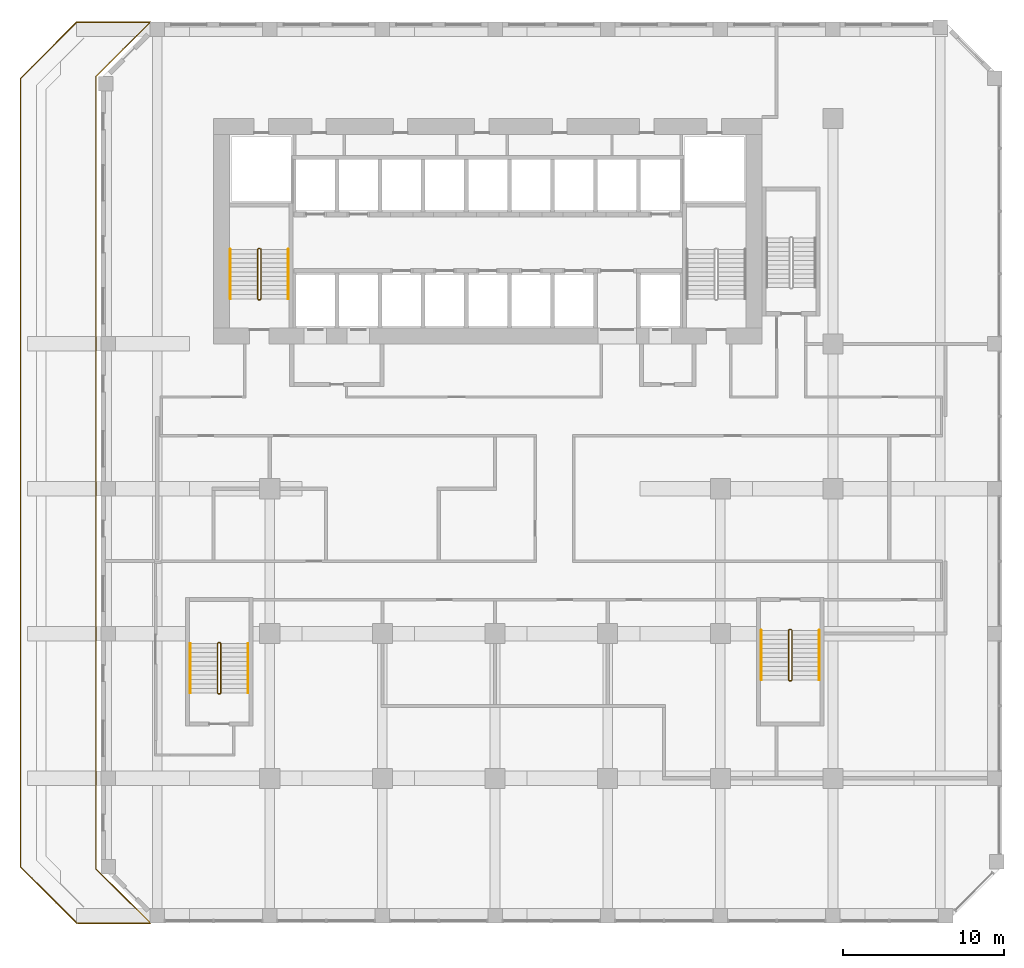
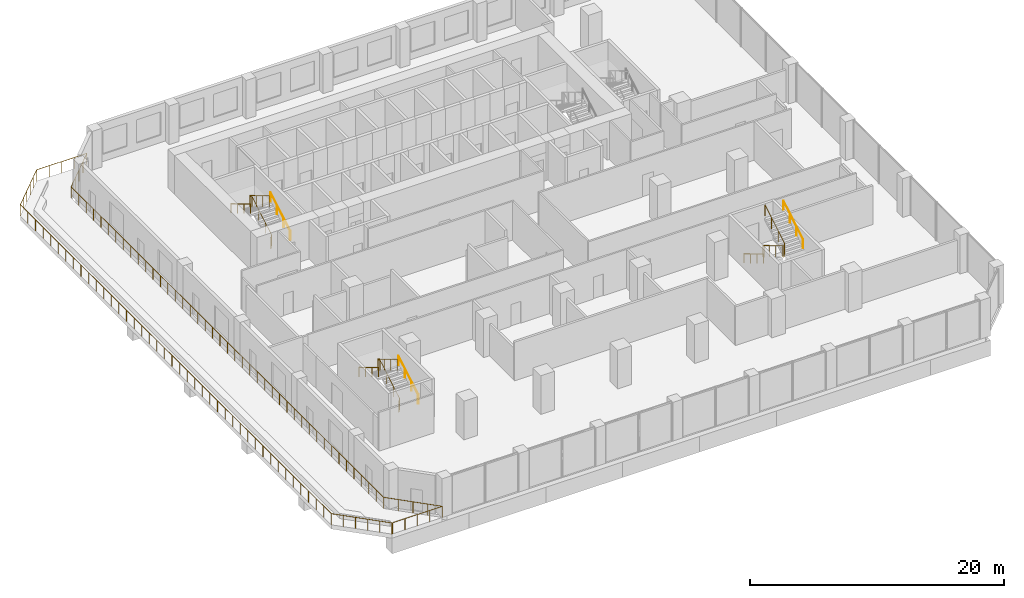
# One storey, part 19 of 20: 10 railings.
"""IFC4 building model written with IfcOpenShell, lengths in metres."""

from ifc_helpers import new_model, si_unit, direction, frame, origin, origin_2d, place, context, subcontext, project, spatial, circle, extrude, material, type_object, element, save


model = new_model("IFC4")

# Units and contexts
model_context = context("Model", 3, precision=1e-05, world=origin(), true_north=direction((0.0, 1.0)))
body_context = subcontext(model_context, "Body", "Model", "MODEL_VIEW")
ifc_project = project(units=[si_unit("LENGTHUNIT", "METRE"), si_unit("AREAUNIT", "SQUARE_METRE"), si_unit("VOLUMEUNIT", "CUBIC_METRE"), si_unit("PLANEANGLEUNIT", "RADIAN"), si_unit("MASSUNIT", "GRAM", prefix="KILO")], contexts=[model_context])

# Site, building, storey
site_placement = place(None, origin())
site = spatial("IfcSite", under=ifc_project, at=site_placement, CompositionType="ELEMENT")
building_placement = place(site_placement, origin())
building = spatial("IfcBuilding", under=site, at=building_placement, Name="Kilnfold Tower and Market Hall", CompositionType="ELEMENT")
storey_placement = place(building_placement, frame((0.0, 0.0, 63.199951171875)))
storey = spatial("IfcBuildingStorey", under=building, at=storey_placement, Name="L14", CompositionType="ELEMENT", Elevation=63.199951171875)

# Railings
ifc_material_1 = material(Name="Stainless steel 316", Category="steel")
railing_type_1 = type_object("IfcRailingType", Name="CORE STAIR GUARD 1100", PredefinedType="GUARDRAIL", material=ifc_material_1)
railing_1_placement = place(storey_placement, frame((-13.199951171875, 10.75, 0.0)))
element("IfcRailing", 1, at=railing_1_placement, inside=storey, type_object=railing_type_1, Name="L14 ST1 stair guard 1", PredefinedType="GUARDRAIL", context=body_context, shape_type="SweptSolid", body=[
    extrude(circle(Radius=0.02392578125, at=origin_2d()), frame((0.0, 0.0, 1.076171875), z_axis=(1.0, 0.0, 0.0), x_axis=(0.0, 1.0, 0.0)), (0.0, 0.0, 1.0), 0.099853515625),
    extrude(circle(Radius=0.02392578125, at=origin_2d()), frame((0.099853515625, 0.0, 1.076171875), z_axis=(0.27628659633, 0.27628659633, 0.920506074601), x_axis=(-0.707106781187, 0.707106781187, 0.0)), (0.0, 0.0, 1.0), 0.18115234375),
    extrude(circle(Radius=0.02392578125, at=origin_2d()), frame((0.14990234375, 0.050048828125, 1.24267578125), z_axis=(0.0, 0.859290745958, 0.51148745235), x_axis=(-1.0, 0.0, 0.0)), (0.0, 0.0, 1.0), 3.584228515625),
    extrude(circle(Radius=0.02392578125, at=origin_2d()), frame((0.14990234375, 3.1298828125, 3.076171875), z_axis=(-0.707106781187, 0.707106781187, 0.0), x_axis=(-0.707106781187, -0.707106781187, 0.0)), (0.0, 0.0, 1.0), 0.07080078125),
    extrude(circle(Radius=0.02392578125, at=origin_2d()), frame((0.099853515625, 3.179931640625, 3.076171875), z_axis=(-1.0, 0.0, 0.0), x_axis=(0.0, -1.0, 0.0)), (0.0, 0.0, 1.0), 0.099853515625),
    extrude(circle(Radius=0.02392578125, at=origin_2d()), frame((0.0, 3.179931640625, 3.076171875), z_axis=(-0.27628659633, -0.27628659633, 0.920506074601), x_axis=(0.707106781187, -0.707106781187, 0.0)), (0.0, 0.0, 1.0), 0.18115234375),
    extrude(circle(Radius=0.02392578125, at=origin_2d()), frame((-0.050048828125, 3.1298828125, 3.24267578125), z_axis=(0.0, -0.859290745958, 0.51148745235), x_axis=(1.0, 0.0, 0.0)), (0.0, 0.0, 1.0), 3.584228515625),
    extrude(circle(Radius=0.02099609375, at=origin_2d()), origin(), (0.0, 0.0, 1.0), 1.052001953125),
    extrude(circle(Radius=0.02099609375, at=origin_2d()), frame((0.099853515625, 0.0, 0.0)), (0.0, 0.0, 1.0), 1.052001953125),
    extrude(circle(Radius=0.02099609375, at=origin_2d()), frame((0.14990234375, 0.050048828125, 0.166748046875)), (0.0, 0.0, 1.0), 1.052001953125),
    extrude(circle(Radius=0.02099609375, at=origin_2d()), frame((0.14990234375, 1.07666015625, 0.77783203125)), (0.0, 0.0, 1.0), 1.052001953125),
    extrude(circle(Radius=0.02099609375, at=origin_2d()), frame((0.14990234375, 2.103271484375, 1.388916015625)), (0.0, 0.0, 1.0), 1.052001953125),
    extrude(circle(Radius=0.02099609375, at=origin_2d()), frame((0.14990234375, 3.1298828125, 2.0)), (0.0, 0.0, 1.0), 1.052001953125),
    extrude(circle(Radius=0.02099609375, at=origin_2d()), frame((0.099853515625, 3.179931640625, 2.0)), (0.0, 0.0, 1.0), 1.052001953125),
    extrude(circle(Radius=0.02099609375, at=origin_2d()), frame((0.0, 3.179931640625, 2.0)), (0.0, 0.0, 1.0), 1.052001953125),
    extrude(circle(Radius=0.02099609375, at=origin_2d()), frame((-0.050048828125, 3.1298828125, 2.166748046875)), (0.0, 0.0, 1.0), 1.052001953125),
    extrude(circle(Radius=0.02099609375, at=origin_2d()), frame((-0.050048828125, 2.103271484375, 2.77783203125)), (0.0, 0.0, 1.0), 1.052001953125),
    extrude(circle(Radius=0.02099609375, at=origin_2d()), frame((-0.050048828125, 1.07666015625, 3.388916015625)), (0.0, 0.0, 1.0), 1.052001953125),
    extrude(circle(Radius=0.02099609375, at=origin_2d()), frame((-0.050048828125, 0.050048828125, 4.0)), (0.0, 0.0, 1.0), 1.052001953125),
])
railing_2_placement = place(storey_placement, frame((-15.699951171875, -13.75, 0.0)))
element("IfcRailing", 2, at=railing_2_placement, inside=storey, type_object=railing_type_1, Name="L14 ST3 stair guard 1", PredefinedType="GUARDRAIL", context=body_context, shape_type="SweptSolid", body=[
    extrude(circle(Radius=0.02392578125, at=origin_2d()), frame((0.0, 0.0, 1.076171875), z_axis=(1.0, 0.0, 0.0), x_axis=(0.0, 1.0, 0.0)), (0.0, 0.0, 1.0), 0.099853515625),
    extrude(circle(Radius=0.02392578125, at=origin_2d()), frame((0.099853515625, 0.0, 1.076171875), z_axis=(0.27628659633, 0.27628659633, 0.920506074601), x_axis=(-0.707106781187, 0.707106781187, 0.0)), (0.0, 0.0, 1.0), 0.18115234375),
    extrude(circle(Radius=0.02392578125, at=origin_2d()), frame((0.14990234375, 0.050048828125, 1.24267578125), z_axis=(0.0, 0.859290745958, 0.51148745235), x_axis=(-1.0, 0.0, 0.0)), (0.0, 0.0, 1.0), 3.584228515625),
    extrude(circle(Radius=0.02392578125, at=origin_2d()), frame((0.14990234375, 3.1298828125, 3.076171875), z_axis=(-0.707106781187, 0.707106781187, 0.0), x_axis=(-0.707106781187, -0.707106781187, 0.0)), (0.0, 0.0, 1.0), 0.07080078125),
    extrude(circle(Radius=0.02392578125, at=origin_2d()), frame((0.099853515625, 3.179931640625, 3.076171875), z_axis=(-1.0, 0.0, 0.0), x_axis=(0.0, -1.0, 0.0)), (0.0, 0.0, 1.0), 0.099853515625),
    extrude(circle(Radius=0.02392578125, at=origin_2d()), frame((0.0, 3.179931640625, 3.076171875), z_axis=(-0.27628659633, -0.27628659633, 0.920506074601), x_axis=(0.707106781187, -0.707106781187, 0.0)), (0.0, 0.0, 1.0), 0.18115234375),
    extrude(circle(Radius=0.02392578125, at=origin_2d()), frame((-0.050048828125, 3.1298828125, 3.24267578125), z_axis=(0.0, -0.859290745958, 0.51148745235), x_axis=(1.0, 0.0, 0.0)), (0.0, 0.0, 1.0), 3.584228515625),
    extrude(circle(Radius=0.02099609375, at=origin_2d()), origin(), (0.0, 0.0, 1.0), 1.052001953125),
    extrude(circle(Radius=0.02099609375, at=origin_2d()), frame((0.099853515625, 0.0, 0.0)), (0.0, 0.0, 1.0), 1.052001953125),
    extrude(circle(Radius=0.02099609375, at=origin_2d()), frame((0.14990234375, 0.050048828125, 0.166748046875)), (0.0, 0.0, 1.0), 1.052001953125),
    extrude(circle(Radius=0.02099609375, at=origin_2d()), frame((0.14990234375, 1.07666015625, 0.77783203125)), (0.0, 0.0, 1.0), 1.052001953125),
    extrude(circle(Radius=0.02099609375, at=origin_2d()), frame((0.14990234375, 2.103271484375, 1.388916015625)), (0.0, 0.0, 1.0), 1.052001953125),
    extrude(circle(Radius=0.02099609375, at=origin_2d()), frame((0.14990234375, 3.1298828125, 2.0)), (0.0, 0.0, 1.0), 1.052001953125),
    extrude(circle(Radius=0.02099609375, at=origin_2d()), frame((0.099853515625, 3.179931640625, 2.0)), (0.0, 0.0, 1.0), 1.052001953125),
    extrude(circle(Radius=0.02099609375, at=origin_2d()), frame((0.0, 3.179931640625, 2.0)), (0.0, 0.0, 1.0), 1.052001953125),
    extrude(circle(Radius=0.02099609375, at=origin_2d()), frame((-0.050048828125, 3.1298828125, 2.166748046875)), (0.0, 0.0, 1.0), 1.052001953125),
    extrude(circle(Radius=0.02099609375, at=origin_2d()), frame((-0.050048828125, 2.103271484375, 2.77783203125)), (0.0, 0.0, 1.0), 1.052001953125),
    extrude(circle(Radius=0.02099609375, at=origin_2d()), frame((-0.050048828125, 1.07666015625, 3.388916015625)), (0.0, 0.0, 1.0), 1.052001953125),
    extrude(circle(Radius=0.02099609375, at=origin_2d()), frame((-0.050048828125, 0.050048828125, 4.0)), (0.0, 0.0, 1.0), 1.052001953125),
])
railing_3_placement = place(storey_placement, frame((19.89990234375, -9.75, 0.0)))
element("IfcRailing", 3, at=railing_3_placement, inside=storey, type_object=railing_type_1, Name="L14 ST4 stair guard 1", PredefinedType="GUARDRAIL", context=body_context, shape_type="SweptSolid", body=[
    extrude(circle(Radius=0.02392578125, at=origin_2d()), frame((0.0, 0.0, 1.076171875), z_axis=(-1.0, 0.0, 0.0), x_axis=(0.0, -1.0, 0.0)), (0.0, 0.0, 1.0), 0.099853515625),
    extrude(circle(Radius=0.02392578125, at=origin_2d()), frame((-0.099853515625, 0.0, 1.076171875), z_axis=(-0.27628659633, -0.27628659633, 0.920506074601), x_axis=(0.707106781187, -0.707106781187, 0.0)), (0.0, 0.0, 1.0), 0.18115234375),
    extrude(circle(Radius=0.02392578125, at=origin_2d()), frame((-0.14990234375, -0.050048828125, 1.24267578125), z_axis=(0.0, -0.859290745958, 0.51148745235), x_axis=(1.0, 0.0, 0.0)), (0.0, 0.0, 1.0), 3.584228515625),
    extrude(circle(Radius=0.02392578125, at=origin_2d()), frame((-0.14990234375, -3.1298828125, 3.076171875), z_axis=(0.707106781187, -0.707106781187, 0.0), x_axis=(0.707106781187, 0.707106781187, 0.0)), (0.0, 0.0, 1.0), 0.07080078125),
    extrude(circle(Radius=0.02392578125, at=origin_2d()), frame((-0.099853515625, -3.179931640625, 3.076171875), z_axis=(1.0, 0.0, 0.0), x_axis=(0.0, 1.0, 0.0)), (0.0, 0.0, 1.0), 0.099853515625),
    extrude(circle(Radius=0.02392578125, at=origin_2d()), frame((0.0, -3.179931640625, 3.076171875), z_axis=(0.27628659633, 0.27628659633, 0.920506074601), x_axis=(-0.707106781187, 0.707106781187, 0.0)), (0.0, 0.0, 1.0), 0.18115234375),
    extrude(circle(Radius=0.02392578125, at=origin_2d()), frame((0.050048828125, -3.1298828125, 3.24267578125), z_axis=(0.0, 0.859290745958, 0.51148745235), x_axis=(-1.0, 0.0, 0.0)), (0.0, 0.0, 1.0), 3.584228515625),
    extrude(circle(Radius=0.02099609375, at=origin_2d()), origin(), (0.0, 0.0, 1.0), 1.052001953125),
    extrude(circle(Radius=0.02099609375, at=origin_2d()), frame((-0.099853515625, 0.0, 0.0)), (0.0, 0.0, 1.0), 1.052001953125),
    extrude(circle(Radius=0.02099609375, at=origin_2d()), frame((-0.14990234375, -0.050048828125, 0.166748046875)), (0.0, 0.0, 1.0), 1.052001953125),
    extrude(circle(Radius=0.02099609375, at=origin_2d()), frame((-0.14990234375, -1.07666015625, 0.77783203125)), (0.0, 0.0, 1.0), 1.052001953125),
    extrude(circle(Radius=0.02099609375, at=origin_2d()), frame((-0.14990234375, -2.103271484375, 1.388916015625)), (0.0, 0.0, 1.0), 1.052001953125),
    extrude(circle(Radius=0.02099609375, at=origin_2d()), frame((-0.14990234375, -3.1298828125, 2.0)), (0.0, 0.0, 1.0), 1.052001953125),
    extrude(circle(Radius=0.02099609375, at=origin_2d()), frame((-0.099853515625, -3.179931640625, 2.0)), (0.0, 0.0, 1.0), 1.052001953125),
    extrude(circle(Radius=0.02099609375, at=origin_2d()), frame((0.0, -3.179931640625, 2.0)), (0.0, 0.0, 1.0), 1.052001953125),
    extrude(circle(Radius=0.02099609375, at=origin_2d()), frame((0.050048828125, -3.1298828125, 2.166748046875)), (0.0, 0.0, 1.0), 1.052001953125),
    extrude(circle(Radius=0.02099609375, at=origin_2d()), frame((0.050048828125, -2.103271484375, 2.77783203125)), (0.0, 0.0, 1.0), 1.052001953125),
    extrude(circle(Radius=0.02099609375, at=origin_2d()), frame((0.050048828125, -1.07666015625, 3.388916015625)), (0.0, 0.0, 1.0), 1.052001953125),
    extrude(circle(Radius=0.02099609375, at=origin_2d()), frame((0.050048828125, -0.050048828125, 4.0)), (0.0, 0.0, 1.0), 1.052001953125),
])
ifc_material_2 = material(Name="Stainless steel 316", Category="steel")
railing_type_2 = type_object("IfcRailingType", Name="CORE STAIR HANDRAIL 900", PredefinedType="HANDRAIL", material=ifc_material_2)
railing_4_placement = place(storey_placement, frame((-11.35009765625, 10.800048828125, 0.166748046875)))
element("IfcRailing", 4, at=railing_4_placement, inside=storey, type_object=railing_type_2, Name="L14 ST1 stair handrail 1", PredefinedType="HANDRAIL", context=body_context, shape_type="SweptSolid", body=[
    extrude(circle(Radius=0.02392578125, at=origin_2d()), frame((0.0, 0.0, 0.8759765625), z_axis=(0.0, 0.859290745958, 0.51148745235), x_axis=(-1.0, 0.0, 0.0)), (0.0, 0.0, 1.0), 3.584228515625),
    extrude(circle(Radius=0.02099609375, at=origin_2d()), origin(), (0.0, 0.0, 1.0), 0.851806640625),
    extrude(circle(Radius=0.02099609375, at=origin_2d()), frame((0.0, 1.026611328125, 0.611083984375)), (0.0, 0.0, 1.0), 0.851806640625),
    extrude(circle(Radius=0.02099609375, at=origin_2d()), frame((0.0, 2.05322265625, 1.22216796875)), (0.0, 0.0, 1.0), 0.851806640625),
    extrude(circle(Radius=0.02099609375, at=origin_2d()), frame((0.0, 3.079833984375, 1.833251953125)), (0.0, 0.0, 1.0), 0.851806640625),
])
railing_5_placement = place(storey_placement, frame((-14.949951171875, 13.8798828125, 2.166748046875)))
element("IfcRailing", 5, at=railing_5_placement, inside=storey, type_object=railing_type_2, Name="L14 ST1 stair handrail 2", PredefinedType="HANDRAIL", context=body_context, shape_type="SweptSolid", body=[
    extrude(circle(Radius=0.02392578125, at=origin_2d()), frame((0.0, 0.0, 0.8759765625), z_axis=(0.0, -0.859290745958, 0.51148745235), x_axis=(1.0, 0.0, 0.0)), (0.0, 0.0, 1.0), 3.584228515625),
    extrude(circle(Radius=0.02099609375, at=origin_2d()), origin(), (0.0, 0.0, 1.0), 0.851806640625),
    extrude(circle(Radius=0.02099609375, at=origin_2d()), frame((0.0, -1.026611328125, 0.611083984375)), (0.0, 0.0, 1.0), 0.851806640625),
    extrude(circle(Radius=0.02099609375, at=origin_2d()), frame((0.0, -2.05322265625, 1.22216796875)), (0.0, 0.0, 1.0), 0.851806640625),
    extrude(circle(Radius=0.02099609375, at=origin_2d()), frame((0.0, -3.079833984375, 1.833251953125)), (0.0, 0.0, 1.0), 0.851806640625),
])
railing_6_placement = place(storey_placement, frame((-13.85009765625, -13.699951171875, 0.166748046875)))
element("IfcRailing", 6, at=railing_6_placement, inside=storey, type_object=railing_type_2, Name="L14 ST3 stair handrail 1", PredefinedType="HANDRAIL", context=body_context, shape_type="SweptSolid", body=[
    extrude(circle(Radius=0.02392578125, at=origin_2d()), frame((0.0, 0.0, 0.8759765625), z_axis=(0.0, 0.859290745958, 0.51148745235), x_axis=(-1.0, 0.0, 0.0)), (0.0, 0.0, 1.0), 3.584228515625),
    extrude(circle(Radius=0.02099609375, at=origin_2d()), origin(), (0.0, 0.0, 1.0), 0.851806640625),
    extrude(circle(Radius=0.02099609375, at=origin_2d()), frame((0.0, 1.026611328125, 0.611083984375)), (0.0, 0.0, 1.0), 0.851806640625),
    extrude(circle(Radius=0.02099609375, at=origin_2d()), frame((0.0, 2.05322265625, 1.22216796875)), (0.0, 0.0, 1.0), 0.851806640625),
    extrude(circle(Radius=0.02099609375, at=origin_2d()), frame((0.0, 3.079833984375, 1.833251953125)), (0.0, 0.0, 1.0), 0.851806640625),
])
for number, where, name in (
    (7, (-17.449951171875, -10.6201171875, 2.166748046875), "L14 ST3 stair handrail 2"),
    (8, (18.050048828125, -9.800048828125, 0.166748046875), "L14 ST4 stair handrail 1"),
):
    element("IfcRailing", number, at=place(storey_placement, frame(where)), inside=storey, type_object=railing_type_2, Name=name, PredefinedType="HANDRAIL", context=body_context, shape_type="SweptSolid", body=[
        extrude(circle(Radius=0.02392578125, at=origin_2d()), frame((0.0, 0.0, 0.8759765625), z_axis=(0.0, -0.859290745958, 0.51148745235), x_axis=(1.0, 0.0, 0.0)), (0.0, 0.0, 1.0), 3.584228515625),
        extrude(circle(Radius=0.02099609375, at=origin_2d()), origin(), (0.0, 0.0, 1.0), 0.851806640625),
        extrude(circle(Radius=0.02099609375, at=origin_2d()), frame((0.0, -1.026611328125, 0.611083984375)), (0.0, 0.0, 1.0), 0.851806640625),
        extrude(circle(Radius=0.02099609375, at=origin_2d()), frame((0.0, -2.05322265625, 1.22216796875)), (0.0, 0.0, 1.0), 0.851806640625),
        extrude(circle(Radius=0.02099609375, at=origin_2d()), frame((0.0, -3.079833984375, 1.833251953125)), (0.0, 0.0, 1.0), 0.851806640625),
    ])
railing_7_placement = place(storey_placement, frame((21.64990234375, -12.8798828125, 2.166748046875)))
element("IfcRailing", 9, at=railing_7_placement, inside=storey, type_object=railing_type_2, Name="L14 ST4 stair handrail 2", PredefinedType="HANDRAIL", context=body_context, shape_type="SweptSolid", body=[
    extrude(circle(Radius=0.02392578125, at=origin_2d()), frame((0.0, 0.0, 0.8759765625), z_axis=(0.0, 0.859290745958, 0.51148745235), x_axis=(-1.0, 0.0, 0.0)), (0.0, 0.0, 1.0), 3.584228515625),
    extrude(circle(Radius=0.02099609375, at=origin_2d()), origin(), (0.0, 0.0, 1.0), 0.851806640625),
    extrude(circle(Radius=0.02099609375, at=origin_2d()), frame((0.0, 1.026611328125, 0.611083984375)), (0.0, 0.0, 1.0), 0.851806640625),
    extrude(circle(Radius=0.02099609375, at=origin_2d()), frame((0.0, 2.05322265625, 1.22216796875)), (0.0, 0.0, 1.0), 0.851806640625),
    extrude(circle(Radius=0.02099609375, at=origin_2d()), frame((0.0, 3.079833984375, 1.833251953125)), (0.0, 0.0, 1.0), 0.851806640625),
])
ifc_material_3 = material(Name="Stainless steel and laminated glass", Category="steel")
railing_type_3 = type_object("IfcRailingType", Name="GUARD 1100", PredefinedType="GUARDRAIL", material=ifc_material_3)
railing_8_placement = place(storey_placement, frame((-24.5, -28.0, 0.0)))
element("IfcRailing", 10, at=railing_8_placement, inside=storey, type_object=railing_type_3, Name="Guard terrace L14", PredefinedType="GUARDRAIL", context=body_context, shape_type="SweptSolid", body=[
    extrude(circle(Radius=0.02490234375, at=origin_2d()), frame((0.0, 0.0, 1.0751953125), z_axis=(-0.707106781187, 0.707106781187, 0.0), x_axis=(-0.707106781187, -0.707106781187, 0.0)), (0.0, 0.0, 1.0), 4.94970703125),
    extrude(circle(Radius=0.02490234375, at=origin_2d()), frame((-3.5, 3.5, 1.0751953125), z_axis=(0.0, 1.0, 0.0), x_axis=(-1.0, 0.0, 0.0)), (0.0, 0.0, 1.0), 49.0),
    extrude(circle(Radius=0.02490234375, at=origin_2d()), frame((-3.5, 52.5, 1.0751953125), z_axis=(0.707106781187, 0.707106781187, 0.0), x_axis=(-0.707106781187, 0.707106781187, 0.0)), (0.0, 0.0, 1.0), 4.94970703125),
    extrude(circle(Radius=0.02490234375, at=origin_2d()), frame((0.0, 56.0, 1.0751953125), z_axis=(1.0, 0.0, 0.0), x_axis=(0.0, 1.0, 0.0)), (0.0, 0.0, 1.0), 4.57568359375),
    extrude(circle(Radius=0.02490234375, at=origin_2d()), frame((4.57568359375, 56.0, 1.0751953125), z_axis=(-0.707106781187, -0.707106781187, 0.0), x_axis=(0.707106781187, -0.707106781187, 0.0)), (0.0, 0.0, 1.0), 4.77392578125),
    extrude(circle(Radius=0.02490234375, at=origin_2d()), frame((1.199951171875, 52.624267578125, 1.0751953125), z_axis=(0.0, -1.0, 0.0), x_axis=(1.0, 0.0, 0.0)), (0.0, 0.0, 1.0), 49.24853515625),
    extrude(circle(Radius=0.02490234375, at=origin_2d()), frame((1.199951171875, 3.375732421875, 1.0751953125), z_axis=(0.707106781187, -0.707106781187, 0.0), x_axis=(0.707106781187, 0.707106781187, 0.0)), (0.0, 0.0, 1.0), 4.77392578125),
    extrude(circle(Radius=0.02490234375, at=origin_2d()), frame((4.57568359375, 0.0, 1.0751953125), z_axis=(-1.0, 0.0, 0.0), x_axis=(0.0, -1.0, 0.0)), (0.0, 0.0, 1.0), 4.515625),
    extrude(circle(Radius=0.02490234375, at=origin_2d()), origin(), (0.0, 0.0, 1.0), 1.050048828125),
    extrude(circle(Radius=0.02490234375, at=origin_2d()), frame((-0.699951171875, 0.699951171875, 0.0)), (0.0, 0.0, 1.0), 1.050048828125),
    extrude(circle(Radius=0.02490234375, at=origin_2d()), frame((-1.39990234375, 1.39990234375, 0.0)), (0.0, 0.0, 1.0), 1.050048828125),
    extrude(circle(Radius=0.02490234375, at=origin_2d()), frame((-2.10009765625, 2.10009765625, 0.0)), (0.0, 0.0, 1.0), 1.050048828125),
    extrude(circle(Radius=0.02490234375, at=origin_2d()), frame((-2.800048828125, 2.800048828125, 0.0)), (0.0, 0.0, 1.0), 1.050048828125),
    extrude(circle(Radius=0.02490234375, at=origin_2d()), frame((-3.5, 3.5, 0.0)), (0.0, 0.0, 1.0), 1.050048828125),
    extrude(circle(Radius=0.02490234375, at=origin_2d()), frame((-3.5, 4.695068359375, 0.0)), (0.0, 0.0, 1.0), 1.050048828125),
    extrude(circle(Radius=0.02490234375, at=origin_2d()), frame((-3.5, 5.89013671875, 0.0)), (0.0, 0.0, 1.0), 1.050048828125),
    extrude(circle(Radius=0.02490234375, at=origin_2d()), frame((-3.5, 7.08544921875, 0.0)), (0.0, 0.0, 1.0), 1.050048828125),
    extrude(circle(Radius=0.02490234375, at=origin_2d()), frame((-3.5, 8.280517578125, 0.0)), (0.0, 0.0, 1.0), 1.050048828125),
    extrude(circle(Radius=0.02490234375, at=origin_2d()), frame((-3.5, 9.4755859375, 0.0)), (0.0, 0.0, 1.0), 1.050048828125),
    extrude(circle(Radius=0.02490234375, at=origin_2d()), frame((-3.5, 10.670654296875, 0.0)), (0.0, 0.0, 1.0), 1.050048828125),
    extrude(circle(Radius=0.02490234375, at=origin_2d()), frame((-3.5, 11.865966796875, 0.0)), (0.0, 0.0, 1.0), 1.050048828125),
    extrude(circle(Radius=0.02490234375, at=origin_2d()), frame((-3.5, 13.06103515625, 0.0)), (0.0, 0.0, 1.0), 1.050048828125),
    extrude(circle(Radius=0.02490234375, at=origin_2d()), frame((-3.5, 14.256103515625, 0.0)), (0.0, 0.0, 1.0), 1.050048828125),
    extrude(circle(Radius=0.02490234375, at=origin_2d()), frame((-3.5, 15.451171875, 0.0)), (0.0, 0.0, 1.0), 1.050048828125),
    extrude(circle(Radius=0.02490234375, at=origin_2d()), frame((-3.5, 16.646240234375, 0.0)), (0.0, 0.0, 1.0), 1.050048828125),
    extrude(circle(Radius=0.02490234375, at=origin_2d()), frame((-3.5, 17.841552734375, 0.0)), (0.0, 0.0, 1.0), 1.050048828125),
    extrude(circle(Radius=0.02490234375, at=origin_2d()), frame((-3.5, 19.03662109375, 0.0)), (0.0, 0.0, 1.0), 1.050048828125),
    extrude(circle(Radius=0.02490234375, at=origin_2d()), frame((-3.5, 20.231689453125, 0.0)), (0.0, 0.0, 1.0), 1.050048828125),
    extrude(circle(Radius=0.02490234375, at=origin_2d()), frame((-3.5, 21.4267578125, 0.0)), (0.0, 0.0, 1.0), 1.050048828125),
    extrude(circle(Radius=0.02490234375, at=origin_2d()), frame((-3.5, 22.6220703125, 0.0)), (0.0, 0.0, 1.0), 1.050048828125),
    extrude(circle(Radius=0.02490234375, at=origin_2d()), frame((-3.5, 23.817138671875, 0.0)), (0.0, 0.0, 1.0), 1.050048828125),
    extrude(circle(Radius=0.02490234375, at=origin_2d()), frame((-3.5, 25.01220703125, 0.0)), (0.0, 0.0, 1.0), 1.050048828125),
    extrude(circle(Radius=0.02490234375, at=origin_2d()), frame((-3.5, 26.207275390625, 0.0)), (0.0, 0.0, 1.0), 1.050048828125),
    extrude(circle(Radius=0.02490234375, at=origin_2d()), frame((-3.5, 27.40234375, 0.0)), (0.0, 0.0, 1.0), 1.050048828125),
    extrude(circle(Radius=0.02490234375, at=origin_2d()), frame((-3.5, 28.59765625, 0.0)), (0.0, 0.0, 1.0), 1.050048828125),
    extrude(circle(Radius=0.02490234375, at=origin_2d()), frame((-3.5, 29.792724609375, 0.0)), (0.0, 0.0, 1.0), 1.050048828125),
    extrude(circle(Radius=0.02490234375, at=origin_2d()), frame((-3.5, 30.98779296875, 0.0)), (0.0, 0.0, 1.0), 1.050048828125),
    extrude(circle(Radius=0.02490234375, at=origin_2d()), frame((-3.5, 32.182861328125, 0.0)), (0.0, 0.0, 1.0), 1.050048828125),
    extrude(circle(Radius=0.02490234375, at=origin_2d()), frame((-3.5, 33.3779296875, 0.0)), (0.0, 0.0, 1.0), 1.050048828125),
    extrude(circle(Radius=0.02490234375, at=origin_2d()), frame((-3.5, 34.5732421875, 0.0)), (0.0, 0.0, 1.0), 1.050048828125),
    extrude(circle(Radius=0.02490234375, at=origin_2d()), frame((-3.5, 35.768310546875, 0.0)), (0.0, 0.0, 1.0), 1.050048828125),
    extrude(circle(Radius=0.02490234375, at=origin_2d()), frame((-3.5, 36.96337890625, 0.0)), (0.0, 0.0, 1.0), 1.050048828125),
    extrude(circle(Radius=0.02490234375, at=origin_2d()), frame((-3.5, 38.158447265625, 0.0)), (0.0, 0.0, 1.0), 1.050048828125),
    extrude(circle(Radius=0.02490234375, at=origin_2d()), frame((-3.5, 39.353759765625, 0.0)), (0.0, 0.0, 1.0), 1.050048828125),
    extrude(circle(Radius=0.02490234375, at=origin_2d()), frame((-3.5, 40.548828125, 0.0)), (0.0, 0.0, 1.0), 1.050048828125),
    extrude(circle(Radius=0.02490234375, at=origin_2d()), frame((-3.5, 41.743896484375, 0.0)), (0.0, 0.0, 1.0), 1.050048828125),
    extrude(circle(Radius=0.02490234375, at=origin_2d()), frame((-3.5, 42.93896484375, 0.0)), (0.0, 0.0, 1.0), 1.050048828125),
    extrude(circle(Radius=0.02490234375, at=origin_2d()), frame((-3.5, 44.134033203125, 0.0)), (0.0, 0.0, 1.0), 1.050048828125),
    extrude(circle(Radius=0.02490234375, at=origin_2d()), frame((-3.5, 45.329345703125, 0.0)), (0.0, 0.0, 1.0), 1.050048828125),
    extrude(circle(Radius=0.02490234375, at=origin_2d()), frame((-3.5, 46.5244140625, 0.0)), (0.0, 0.0, 1.0), 1.050048828125),
    extrude(circle(Radius=0.02490234375, at=origin_2d()), frame((-3.5, 47.719482421875, 0.0)), (0.0, 0.0, 1.0), 1.050048828125),
    extrude(circle(Radius=0.02490234375, at=origin_2d()), frame((-3.5, 48.91455078125, 0.0)), (0.0, 0.0, 1.0), 1.050048828125),
    extrude(circle(Radius=0.02490234375, at=origin_2d()), frame((-3.5, 50.10986328125, 0.0)), (0.0, 0.0, 1.0), 1.050048828125),
    extrude(circle(Radius=0.02490234375, at=origin_2d()), frame((-3.5, 51.304931640625, 0.0)), (0.0, 0.0, 1.0), 1.050048828125),
    extrude(circle(Radius=0.02490234375, at=origin_2d()), frame((-3.5, 52.5, 0.0)), (0.0, 0.0, 1.0), 1.050048828125),
    extrude(circle(Radius=0.02490234375, at=origin_2d()), frame((-2.800048828125, 53.199951171875, 0.0)), (0.0, 0.0, 1.0), 1.050048828125),
    extrude(circle(Radius=0.02490234375, at=origin_2d()), frame((-2.10009765625, 53.89990234375, 0.0)), (0.0, 0.0, 1.0), 1.050048828125),
    extrude(circle(Radius=0.02490234375, at=origin_2d()), frame((-1.39990234375, 54.60009765625, 0.0)), (0.0, 0.0, 1.0), 1.050048828125),
    extrude(circle(Radius=0.02490234375, at=origin_2d()), frame((-0.699951171875, 55.300048828125, 0.0)), (0.0, 0.0, 1.0), 1.050048828125),
    extrude(circle(Radius=0.02490234375, at=origin_2d()), frame((0.0, 56.0, 0.0)), (0.0, 0.0, 1.0), 1.050048828125),
    extrude(circle(Radius=0.02490234375, at=origin_2d()), frame((1.14404296875, 56.0, 0.0)), (0.0, 0.0, 1.0), 1.050048828125),
    extrude(circle(Radius=0.02490234375, at=origin_2d()), frame((2.287841796875, 56.0, 0.0)), (0.0, 0.0, 1.0), 1.050048828125),
    extrude(circle(Radius=0.02490234375, at=origin_2d()), frame((3.431640625, 56.0, 0.0)), (0.0, 0.0, 1.0), 1.050048828125),
    extrude(circle(Radius=0.02490234375, at=origin_2d()), frame((4.57568359375, 56.0, 0.0)), (0.0, 0.0, 1.0), 1.050048828125),
    extrude(circle(Radius=0.02490234375, at=origin_2d()), frame((3.731689453125, 55.156005859375, 0.0)), (0.0, 0.0, 1.0), 1.050048828125),
    extrude(circle(Radius=0.02490234375, at=origin_2d()), frame((2.8876953125, 54.31201171875, 0.0)), (0.0, 0.0, 1.0), 1.050048828125),
    extrude(circle(Radius=0.02490234375, at=origin_2d()), frame((2.0439453125, 53.46826171875, 0.0)), (0.0, 0.0, 1.0), 1.050048828125),
    extrude(circle(Radius=0.02490234375, at=origin_2d()), frame((1.199951171875, 52.624267578125, 0.0)), (0.0, 0.0, 1.0), 1.050048828125),
    extrude(circle(Radius=0.02490234375, at=origin_2d()), frame((1.199951171875, 51.45166015625, 0.0)), (0.0, 0.0, 1.0), 1.050048828125),
    extrude(circle(Radius=0.02490234375, at=origin_2d()), frame((1.199951171875, 50.279052734375, 0.0)), (0.0, 0.0, 1.0), 1.050048828125),
    extrude(circle(Radius=0.02490234375, at=origin_2d()), frame((1.199951171875, 49.1064453125, 0.0)), (0.0, 0.0, 1.0), 1.050048828125),
    extrude(circle(Radius=0.02490234375, at=origin_2d()), frame((1.199951171875, 47.933837890625, 0.0)), (0.0, 0.0, 1.0), 1.050048828125),
    extrude(circle(Radius=0.02490234375, at=origin_2d()), frame((1.199951171875, 46.76123046875, 0.0)), (0.0, 0.0, 1.0), 1.050048828125),
    extrude(circle(Radius=0.02490234375, at=origin_2d()), frame((1.199951171875, 45.5888671875, 0.0)), (0.0, 0.0, 1.0), 1.050048828125),
    extrude(circle(Radius=0.02490234375, at=origin_2d()), frame((1.199951171875, 44.416259765625, 0.0)), (0.0, 0.0, 1.0), 1.050048828125),
    extrude(circle(Radius=0.02490234375, at=origin_2d()), frame((1.199951171875, 43.24365234375, 0.0)), (0.0, 0.0, 1.0), 1.050048828125),
    extrude(circle(Radius=0.02490234375, at=origin_2d()), frame((1.199951171875, 42.071044921875, 0.0)), (0.0, 0.0, 1.0), 1.050048828125),
    extrude(circle(Radius=0.02490234375, at=origin_2d()), frame((1.199951171875, 40.8984375, 0.0)), (0.0, 0.0, 1.0), 1.050048828125),
    extrude(circle(Radius=0.02490234375, at=origin_2d()), frame((1.199951171875, 39.725830078125, 0.0)), (0.0, 0.0, 1.0), 1.050048828125),
    extrude(circle(Radius=0.02490234375, at=origin_2d()), frame((1.199951171875, 38.55322265625, 0.0)), (0.0, 0.0, 1.0), 1.050048828125),
    extrude(circle(Radius=0.02490234375, at=origin_2d()), frame((1.199951171875, 37.380615234375, 0.0)), (0.0, 0.0, 1.0), 1.050048828125),
    extrude(circle(Radius=0.02490234375, at=origin_2d()), frame((1.199951171875, 36.2080078125, 0.0)), (0.0, 0.0, 1.0), 1.050048828125),
    extrude(circle(Radius=0.02490234375, at=origin_2d()), frame((1.199951171875, 35.035400390625, 0.0)), (0.0, 0.0, 1.0), 1.050048828125),
    extrude(circle(Radius=0.02490234375, at=origin_2d()), frame((1.199951171875, 33.863037109375, 0.0)), (0.0, 0.0, 1.0), 1.050048828125),
    extrude(circle(Radius=0.02490234375, at=origin_2d()), frame((1.199951171875, 32.6904296875, 0.0)), (0.0, 0.0, 1.0), 1.050048828125),
    extrude(circle(Radius=0.02490234375, at=origin_2d()), frame((1.199951171875, 31.517822265625, 0.0)), (0.0, 0.0, 1.0), 1.050048828125),
    extrude(circle(Radius=0.02490234375, at=origin_2d()), frame((1.199951171875, 30.34521484375, 0.0)), (0.0, 0.0, 1.0), 1.050048828125),
    extrude(circle(Radius=0.02490234375, at=origin_2d()), frame((1.199951171875, 29.172607421875, 0.0)), (0.0, 0.0, 1.0), 1.050048828125),
    extrude(circle(Radius=0.02490234375, at=origin_2d()), frame((1.199951171875, 28.0, 0.0)), (0.0, 0.0, 1.0), 1.050048828125),
    extrude(circle(Radius=0.02490234375, at=origin_2d()), frame((1.199951171875, 26.827392578125, 0.0)), (0.0, 0.0, 1.0), 1.050048828125),
    extrude(circle(Radius=0.02490234375, at=origin_2d()), frame((1.199951171875, 25.65478515625, 0.0)), (0.0, 0.0, 1.0), 1.050048828125),
    extrude(circle(Radius=0.02490234375, at=origin_2d()), frame((1.199951171875, 24.482177734375, 0.0)), (0.0, 0.0, 1.0), 1.050048828125),
    extrude(circle(Radius=0.02490234375, at=origin_2d()), frame((1.199951171875, 23.3095703125, 0.0)), (0.0, 0.0, 1.0), 1.050048828125),
    extrude(circle(Radius=0.02490234375, at=origin_2d()), frame((1.199951171875, 22.136962890625, 0.0)), (0.0, 0.0, 1.0), 1.050048828125),
    extrude(circle(Radius=0.02490234375, at=origin_2d()), frame((1.199951171875, 20.964599609375, 0.0)), (0.0, 0.0, 1.0), 1.050048828125),
    extrude(circle(Radius=0.02490234375, at=origin_2d()), frame((1.199951171875, 19.7919921875, 0.0)), (0.0, 0.0, 1.0), 1.050048828125),
    extrude(circle(Radius=0.02490234375, at=origin_2d()), frame((1.199951171875, 18.619384765625, 0.0)), (0.0, 0.0, 1.0), 1.050048828125),
    extrude(circle(Radius=0.02490234375, at=origin_2d()), frame((1.199951171875, 17.44677734375, 0.0)), (0.0, 0.0, 1.0), 1.050048828125),
    extrude(circle(Radius=0.02490234375, at=origin_2d()), frame((1.199951171875, 16.274169921875, 0.0)), (0.0, 0.0, 1.0), 1.050048828125),
    extrude(circle(Radius=0.02490234375, at=origin_2d()), frame((1.199951171875, 15.1015625, 0.0)), (0.0, 0.0, 1.0), 1.050048828125),
    extrude(circle(Radius=0.02490234375, at=origin_2d()), frame((1.199951171875, 13.928955078125, 0.0)), (0.0, 0.0, 1.0), 1.050048828125),
    extrude(circle(Radius=0.02490234375, at=origin_2d()), frame((1.199951171875, 12.75634765625, 0.0)), (0.0, 0.0, 1.0), 1.050048828125),
    extrude(circle(Radius=0.02490234375, at=origin_2d()), frame((1.199951171875, 11.583740234375, 0.0)), (0.0, 0.0, 1.0), 1.050048828125),
    extrude(circle(Radius=0.02490234375, at=origin_2d()), frame((1.199951171875, 10.4111328125, 0.0)), (0.0, 0.0, 1.0), 1.050048828125),
    extrude(circle(Radius=0.02490234375, at=origin_2d()), frame((1.199951171875, 9.23876953125, 0.0)), (0.0, 0.0, 1.0), 1.050048828125),
    extrude(circle(Radius=0.02490234375, at=origin_2d()), frame((1.199951171875, 8.066162109375, 0.0)), (0.0, 0.0, 1.0), 1.050048828125),
    extrude(circle(Radius=0.02490234375, at=origin_2d()), frame((1.199951171875, 6.8935546875, 0.0)), (0.0, 0.0, 1.0), 1.050048828125),
    extrude(circle(Radius=0.02490234375, at=origin_2d()), frame((1.199951171875, 5.720947265625, 0.0)), (0.0, 0.0, 1.0), 1.050048828125),
    extrude(circle(Radius=0.02490234375, at=origin_2d()), frame((1.199951171875, 4.54833984375, 0.0)), (0.0, 0.0, 1.0), 1.050048828125),
    extrude(circle(Radius=0.02490234375, at=origin_2d()), frame((1.199951171875, 3.375732421875, 0.0)), (0.0, 0.0, 1.0), 1.050048828125),
    extrude(circle(Radius=0.02490234375, at=origin_2d()), frame((2.0439453125, 2.53173828125, 0.0)), (0.0, 0.0, 1.0), 1.050048828125),
    extrude(circle(Radius=0.02490234375, at=origin_2d()), frame((2.8876953125, 1.68798828125, 0.0)), (0.0, 0.0, 1.0), 1.050048828125),
    extrude(circle(Radius=0.02490234375, at=origin_2d()), frame((3.731689453125, 0.843994140625, 0.0)), (0.0, 0.0, 1.0), 1.050048828125),
    extrude(circle(Radius=0.02490234375, at=origin_2d()), frame((4.57568359375, 0.0, 0.0)), (0.0, 0.0, 1.0), 1.050048828125),
    extrude(circle(Radius=0.02490234375, at=origin_2d()), frame((3.44677734375, 0.0, 0.0)), (0.0, 0.0, 1.0), 1.050048828125),
    extrude(circle(Radius=0.02490234375, at=origin_2d()), frame((2.31787109375, 0.0, 0.0)), (0.0, 0.0, 1.0), 1.050048828125),
    extrude(circle(Radius=0.02490234375, at=origin_2d()), frame((1.18896484375, 0.0, 0.0)), (0.0, 0.0, 1.0), 1.050048828125),
    extrude(circle(Radius=0.02490234375, at=origin_2d()), frame((0.06005859375, 0.0, 0.0)), (0.0, 0.0, 1.0), 1.050048828125),
])

save(model, "model.ifc")
